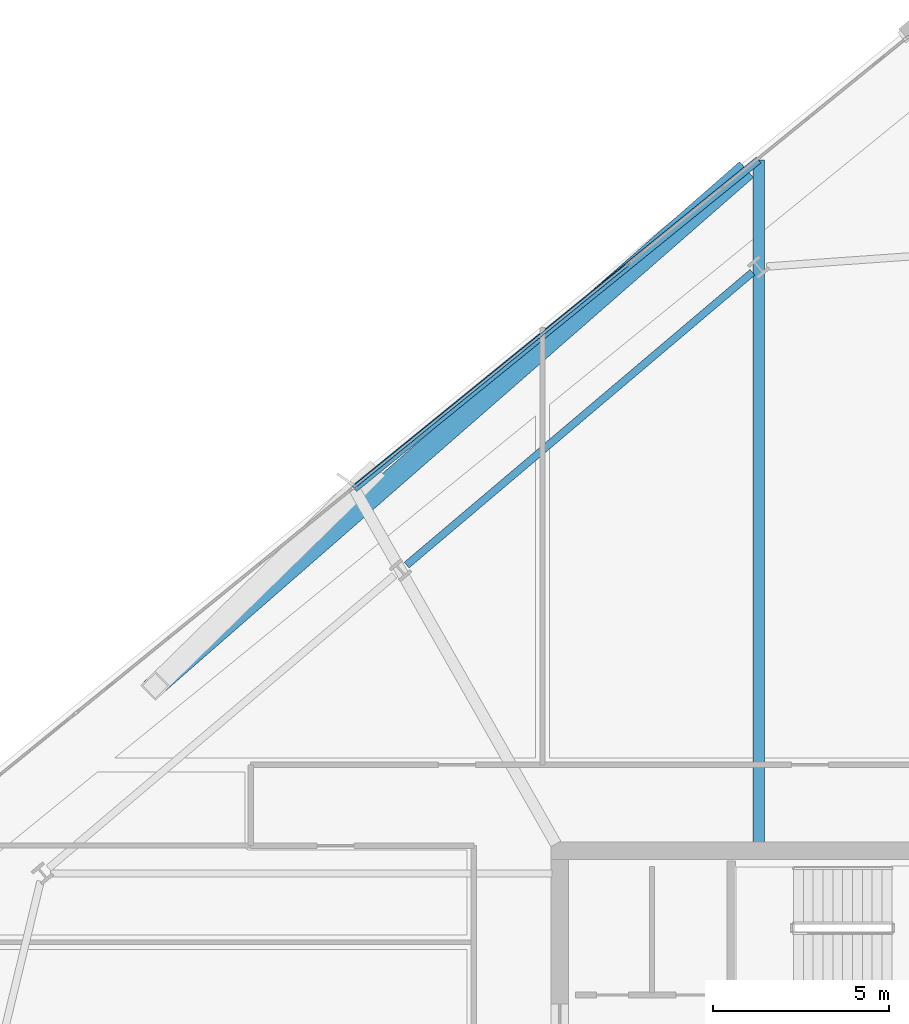
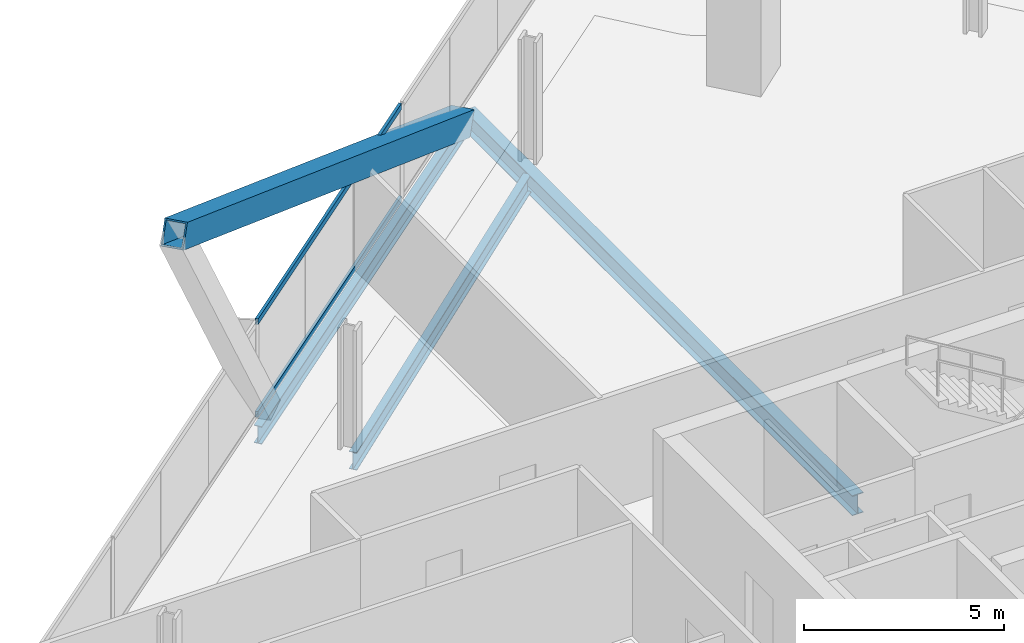
# One storey, part 17 of 36: 3 beams, 3 members, 1 element without a shape of its own.
"""IFC4 building model written with IfcOpenShell, lengths in metres."""

from ifc_helpers import new_model, si_unit, direction, frame, origin, origin_2d, place, context, subcontext, project, spatial, hollow_rectangle, i_section, extrude, material, material_profile, profile_set, type_object, element, aggregate, save


model = new_model("IFC4")

# Units and contexts
model_context = context("Model", 3, precision=1e-05, world=origin(), true_north=direction((0.0, 1.0)))
body_context = subcontext(model_context, "Body", "Model", "MODEL_VIEW")
ifc_project = project(units=[si_unit("LENGTHUNIT", "METRE"), si_unit("AREAUNIT", "SQUARE_METRE"), si_unit("VOLUMEUNIT", "CUBIC_METRE"), si_unit("PLANEANGLEUNIT", "RADIAN"), si_unit("MASSUNIT", "GRAM", prefix="KILO")], contexts=[model_context])

# Site, building, storey
site_placement = place(None, origin())
site = spatial("IfcSite", under=ifc_project, at=site_placement, CompositionType="ELEMENT")
building_placement = place(site_placement, origin())
building = spatial("IfcBuilding", under=site, at=building_placement, Name="Haldenkirk Collegiate Tower", CompositionType="ELEMENT")
storey_placement = place(building_placement, frame((0.0, 0.0, 159.449951171875)))
storey = spatial("IfcBuildingStorey", under=building, at=storey_placement, Name="L39", CompositionType="ELEMENT", Elevation=159.449951171875)

# Beams
ifc_material_1 = material(Name="Steel ASTM A992 Grade 50", Category="steel")
ifc_material_profile_1 = material_profile(ifc_material_1, i_section(OverallWidth=0.324951171875, OverallDepth=0.615966796875, WebThickness=0.013916015625, FlangeThickness=0.021484375, at=origin_2d()), Name="W24X117")
ifc_profile_set_1 = profile_set([ifc_material_profile_1], Name="Steel ASTM A992 Grade 50")
beam_type_1 = type_object("IfcBeamType", Name="BM-GIRDER-W24X117", PredefinedType="BEAM", material=ifc_profile_set_1)
beam_1_placement = place(storey_placement, frame((32.657470703125, 53.668212890625, -0.597900390625), z_axis=(0.0, -1.0, 0.0), x_axis=(1.0, 0.0, 0.0)))
element("IfcBeam", 1, at=beam_1_placement, inside=storey, type_object=beam_type_1, Name="L39 primary floor girder 11", PredefinedType="BEAM", context=body_context, shape_type="SweptSolid", body=[
    extrude(i_section(OverallWidth=0.324951171875, OverallDepth=0.615966796875, WebThickness=0.013916015625, FlangeThickness=0.021484375, at=origin_2d()), origin(), (0.0, 0.0, 1.0), 19.438232421875),
])
ifc_material_profile_2 = material_profile(ifc_material_1, i_section(OverallWidth=0.2119140625, OverallDepth=0.5439453125, WebThickness=0.01318359375, FlangeThickness=0.021240234375, at=origin_2d()), Name="W21X83")
ifc_profile_set_2 = profile_set([ifc_material_profile_2], Name="Steel ASTM A992 Grade 50")
beam_type_2 = type_object("IfcBeamType", Name="BM-SPANDREL-W21X83", PredefinedType="SPANDREL", material=ifc_profile_set_2)
beam_2_placement = place(storey_placement, frame((32.482666015625, 50.471435546875, -0.56201171875), z_axis=(-0.763233335078, -0.646122957514, 0.0), x_axis=(0.646122957514, -0.763233335078, 0.0)))
element("IfcBeam", 2, at=beam_2_placement, inside=storey, type_object=beam_type_2, Name="L39 perimeter spandrel beam 10", PredefinedType="SPANDREL", context=body_context, shape_type="SweptSolid", body=[
    extrude(i_section(OverallWidth=0.2119140625, OverallDepth=0.5439453125, WebThickness=0.01318359375, FlangeThickness=0.021240234375, at=origin_2d()), origin(), (0.0, 0.0, 1.0), 12.898193359375),
])
beam_3_placement = place(storey_placement, frame((32.657470703125, 53.668212890625, -0.56201171875), z_axis=(-0.776053084409, -0.630667590874, 0.0), x_axis=(0.630667590874, -0.776053084409, 0.0)))
element("IfcBeam", 3, at=beam_3_placement, inside=storey, type_object=beam_type_2, Name="L39 outer facade edge beam 3", PredefinedType="SPANDREL", context=body_context, shape_type="SweptSolid", body=[
    extrude(i_section(OverallWidth=0.2119140625, OverallDepth=0.5439453125, WebThickness=0.01318359375, FlangeThickness=0.021240234375, at=origin_2d()), origin(), (0.0, 0.0, 1.0), 14.834716796875),
])

# Curtain wall, members
ifc_material_2 = material(Name="Anodised architectural bronze aluminium", Category="aluminium")
curtain_wall_type = type_object("IfcCurtainWallType", Name="CW-SYS1-CONVEX-LOW", PredefinedType="USERDEFINED", material=ifc_material_2)
curtain_wall_placement = place(storey_placement, origin())
curtain_wall = element("IfcCurtainWall", 4, at=curtain_wall_placement, inside=storey, type_object=curtain_wall_type, Name="L39 Lower tower convex bronze-framed unitised curtain wall", ObjectType="UNITISED CURTAIN WALL", PredefinedType="USERDEFINED")
ifc_material_profile_3 = material_profile(ifc_material_2, hollow_rectangle(XDim=0.080078125, YDim=0.179931640625, WallThickness=0.0048828125, at=origin_2d()), Name="CW-TRN-1A")
ifc_profile_set_3 = profile_set([ifc_material_profile_3], Name="Anodised architectural bronze aluminium")
member_type_1 = type_object("IfcMemberType", Name="CW-TRN-1A", PredefinedType="USERDEFINED", material=ifc_profile_set_3)
member_1_placement = place(storey_placement, frame((21.134521484375, 44.35546875, 0.0400390625), z_axis=(0.776046510018, 0.630675680749, 0.0), x_axis=(-0.630675680749, 0.776046510018, 0.0)))
member_1 = element("IfcMember", 5, at=member_1_placement, type_object=member_type_1, Name="CW-1A transom 3.1", ObjectType="TRANSOM", PredefinedType="USERDEFINED", context=body_context, shape_type="SweptSolid", body=[
    extrude(hollow_rectangle(XDim=0.080078125, YDim=0.179931640625, WallThickness=0.0048828125, at=origin_2d()), origin(), (0.0, 0.0, 1.0), 10.06982421875),
])
member_2_placement = place(storey_placement, frame((21.134521484375, 44.35546875, 2.87109375), z_axis=(0.776046510018, 0.630675680749, 0.0), x_axis=(-0.630675680749, 0.776046510018, 0.0)))
member_2 = element("IfcMember", 6, at=member_2_placement, type_object=member_type_1, Name="CW-1A transom 3.2", ObjectType="TRANSOM", PredefinedType="USERDEFINED", context=body_context, shape_type="SweptSolid", body=[
    extrude(hollow_rectangle(XDim=0.080078125, YDim=0.179931640625, WallThickness=0.0048828125, at=origin_2d()), origin(), (0.0, 0.0, 1.0), 10.06982421875),
])
aggregate(curtain_wall, [member_1, member_2])

# Member
ifc_material_3 = material(Name="Steel ASTM A572 Grade 50", Category="steel")
ifc_material_profile_4 = material_profile(ifc_material_3, hollow_rectangle(XDim=0.60009765625, YDim=0.719970703125, WallThickness=0.044921875, at=origin_2d()), Name="BOX720X600X45")
ifc_profile_set_4 = profile_set([ifc_material_profile_4], Name="Steel ASTM A572 Grade 50")
member_type_2 = type_object("IfcMemberType", Name="MBR-MEGABRACE-BOX720X600X45", PredefinedType="BRACE", material=ifc_profile_set_4)
member_3_placement = place(storey_placement, frame((32.19189453125, 53.289794921875, -0.300048828125), z_axis=(-0.671795217794, -0.586603652989, 0.452313320221), x_axis=(0.657731306145, -0.753252632864, 0.0)))
element("IfcMember", 7, at=member_3_placement, inside=storey, type_object=member_type_2, Name="Perimeter Mega Brace Z3 L39-L41 NL", PredefinedType="BRACE", context=body_context, shape_type="SweptSolid", body=[
    extrude(hollow_rectangle(XDim=0.60009765625, YDim=0.719970703125, WallThickness=0.044921875, at=origin_2d()), origin(), (0.0, 0.0, 1.0), 24.8720703125),
])

save(model, "model.ifc")
